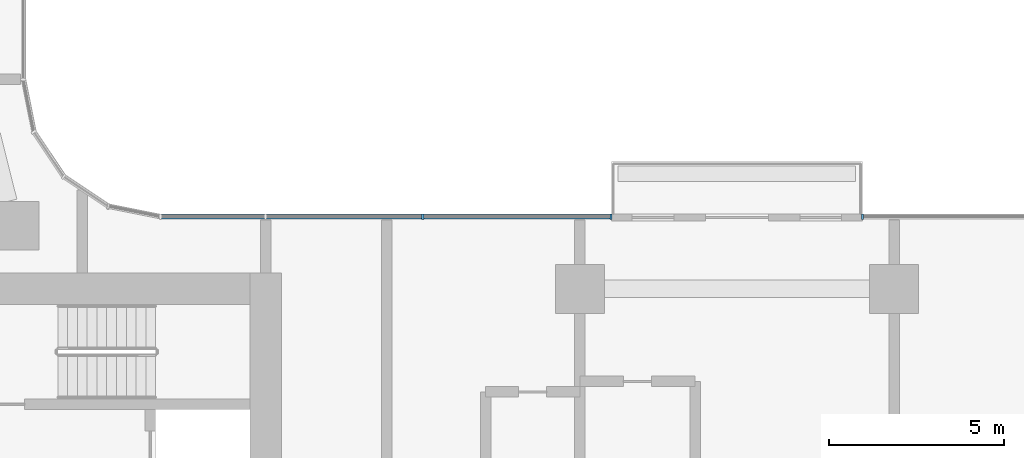
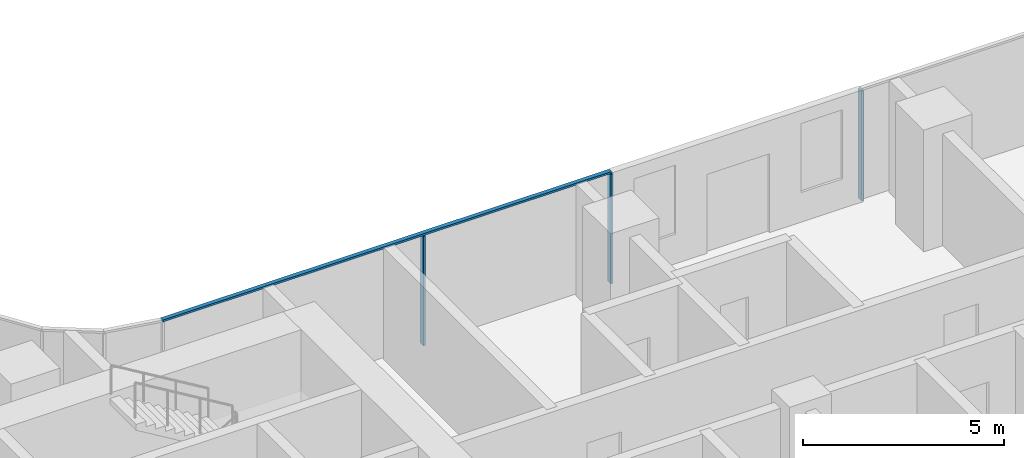
# One storey, part 4 of 32: 4 members, 2 elements without a shape of their own.
"""IFC4 building model written with IfcOpenShell, lengths in metres."""

from ifc_helpers import new_model, si_unit, direction, frame, origin, origin_2d, place, context, subcontext, project, spatial, rectangle, extrude, material, material_profile, profile_set, type_object, element, aggregate, save


model = new_model("IFC4")

# Units and contexts
model_context = context("Model", 3, precision=1e-05, world=origin(), true_north=direction((0.0, 1.0)))
body_context = subcontext(model_context, "Body", "Model", "MODEL_VIEW")
ifc_project = project(units=[si_unit("LENGTHUNIT", "METRE"), si_unit("AREAUNIT", "SQUARE_METRE"), si_unit("VOLUMEUNIT", "CUBIC_METRE"), si_unit("PLANEANGLEUNIT", "RADIAN"), si_unit("MASSUNIT", "GRAM", prefix="KILO")], contexts=[model_context])

# Site, building, storey
site_placement = place(None, origin())
site = spatial("IfcSite", under=ifc_project, at=site_placement, CompositionType="ELEMENT")
building_placement = place(site_placement, origin())
building = spatial("IfcBuilding", under=site, at=building_placement, Name="Ogive Portal Towers", CompositionType="ELEMENT")
storey_placement = place(building_placement, frame((0.0, 0.0, 55.699951171875)))
storey = spatial("IfcBuildingStorey", under=building, at=storey_placement, Name="L12", CompositionType="ELEMENT", Elevation=55.699951171875)

# Curtain wall, member
ifc_material_1 = material(Name="Glass, clear low-iron insulated glazing", Category="glass")
curtain_wall_type = type_object("IfcCurtainWallType", Name="CW FRONT RIBBON 4500", PredefinedType="NOTDEFINED", material=ifc_material_1)
curtain_wall_1_placement = place(storey_placement, origin())
curtain_wall_1 = element("IfcCurtainWall", 1, at=curtain_wall_1_placement, inside=storey, type_object=curtain_wall_type, Name="A:L12:f16:cw0", PredefinedType="NOTDEFINED")
ifc_material_2 = material(Name="Aluminium 6063 anodised", Category="aluminium")
ifc_material_profile_1 = material_profile(ifc_material_2, rectangle(XDim=0.159912109375, YDim=0.06005859375, at=origin_2d()), Name="AL 60x160")
ifc_profile_set_1 = profile_set([ifc_material_profile_1], Name="Aluminium 6063 anodised")
member_type_1 = type_object("IfcMemberType", Name="CW MULLION 60x160", PredefinedType="MULLION", material=ifc_profile_set_1)
member_1_placement = place(storey_placement, frame((75.592041015625, 41.56494140625, 0.0), z_axis=(0.0, 0.0, 1.0), x_axis=(0.0, -1.0, 0.0)))
member_1 = element("IfcMember", 2, at=member_1_placement, type_object=member_type_1, Name="mullion", PredefinedType="MULLION", context=body_context, shape_type="SweptSolid", body=[
    extrude(rectangle(XDim=0.159912109375, YDim=0.06005859375, at=origin_2d()), origin(), (0.0, 0.0, 1.0), 3.340087890625),
])
aggregate(curtain_wall_1, [member_1])

# Curtain wall, members
curtain_wall_2_placement = place(storey_placement, origin())
curtain_wall_2 = element("IfcCurtainWall", 3, at=curtain_wall_2_placement, inside=storey, type_object=curtain_wall_type, Name="A:L12:f16:cw1", PredefinedType="NOTDEFINED")
member_2_placement = place(storey_placement, frame((68.39208984375, 41.56494140625, 0.0), z_axis=(0.0, 0.0, 1.0), x_axis=(0.0, -1.0, 0.0)))
member_2 = element("IfcMember", 4, at=member_2_placement, type_object=member_type_1, Name="mullion", PredefinedType="MULLION", context=body_context, shape_type="SweptSolid", body=[
    extrude(rectangle(XDim=0.159912109375, YDim=0.06005859375, at=origin_2d()), origin(), (0.0, 0.0, 1.0), 3.340087890625),
])
member_3_placement = place(storey_placement, frame((63.0, 41.56494140625, 0.0), z_axis=(0.0, 0.0, 1.0), x_axis=(0.0, -1.0, 0.0)))
member_3 = element("IfcMember", 5, at=member_3_placement, type_object=member_type_1, Name="mullion", PredefinedType="MULLION", context=body_context, shape_type="SweptSolid", body=[
    extrude(rectangle(XDim=0.159912109375, YDim=0.06005859375, at=origin_2d()), origin(), (0.0, 0.0, 1.0), 3.340087890625),
])
ifc_material_profile_2 = material_profile(ifc_material_2, rectangle(XDim=0.1201171875, YDim=0.06005859375, at=origin_2d()), Name="AL 120x60")
ifc_profile_set_2 = profile_set([ifc_material_profile_2], Name="Aluminium 6063 anodised")
member_type_2 = type_object("IfcMemberType", Name="CW TRANSOM 60x120", PredefinedType="USERDEFINED", material=ifc_profile_set_2)
member_4_placement = place(storey_placement, frame((68.39208984375, 41.56494140625, 3.3701171875), z_axis=(-1.0, 0.0, 0.0), x_axis=(0.0, -1.0, 0.0)))
member_4 = element("IfcMember", 6, at=member_4_placement, type_object=member_type_2, Name="transom", ObjectType="TRANSOM", PredefinedType="USERDEFINED", context=body_context, shape_type="SweptSolid", body=[
    extrude(rectangle(XDim=0.1201171875, YDim=0.06005859375, at=origin_2d()), origin(), (0.0, 0.0, 1.0), 12.89990234375),
])
aggregate(curtain_wall_2, [member_4, member_2, member_3])

save(model, "model.ifc")
